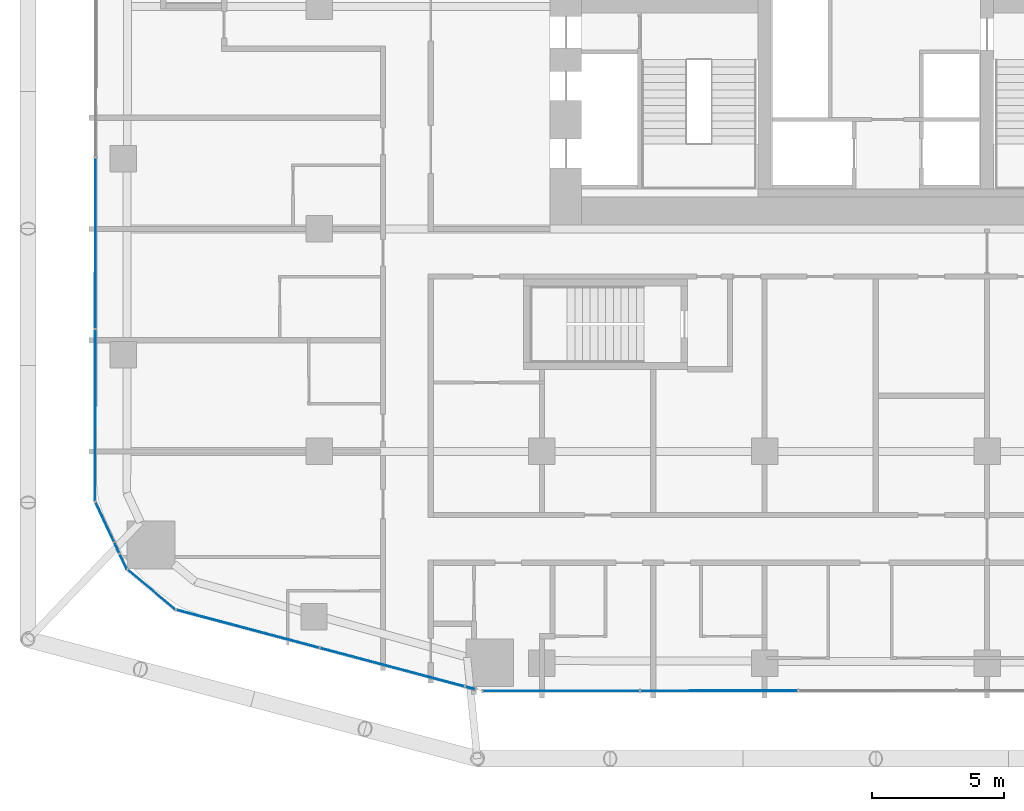
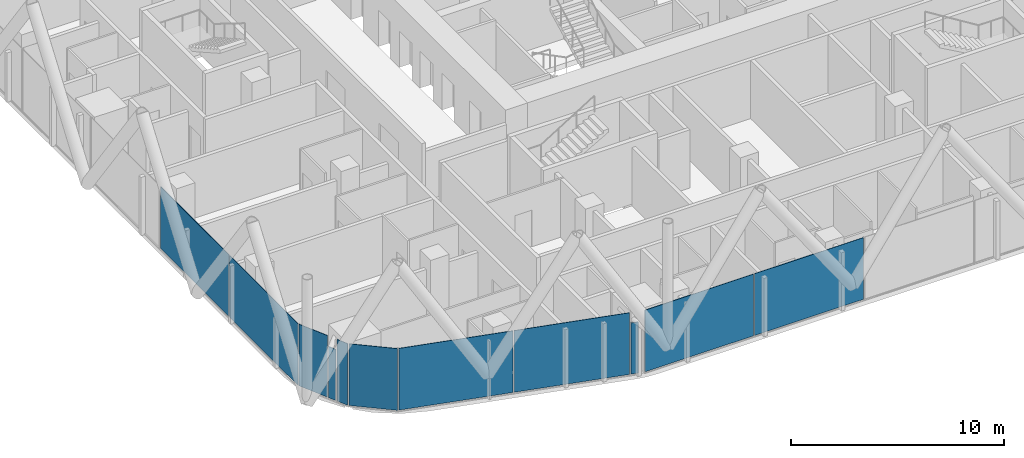
# One storey, part 18 of 35: 11 plates, 8 elements without a shape of their own.
"""IFC4 building model written with IfcOpenShell, lengths in metres."""

from ifc_helpers import new_model, si_unit, direction, frame, origin, origin_2d, place, context, subcontext, project, spatial, rectangle, extrude, material, layer, layer_set, type_object, element, aggregate, save


model = new_model("IFC4")

# Units and contexts
model_context = context("Model", 3, precision=1e-05, world=origin(), true_north=direction((0.0, 1.0)))
body_context = subcontext(model_context, "Body", "Model", "MODEL_VIEW")
ifc_project = project(units=[si_unit("LENGTHUNIT", "METRE"), si_unit("AREAUNIT", "SQUARE_METRE"), si_unit("VOLUMEUNIT", "CUBIC_METRE"), si_unit("PLANEANGLEUNIT", "RADIAN"), si_unit("MASSUNIT", "GRAM", prefix="KILO")], contexts=[model_context])

# Site, building, storey
site_placement = place(None, origin())
site = spatial("IfcSite", under=ifc_project, at=site_placement, CompositionType="ELEMENT")
building_placement = place(site_placement, origin())
building = spatial("IfcBuilding", under=site, at=building_placement, Name="Marenta Gate Hotel Tower", CompositionType="ELEMENT")
storey_placement = place(building_placement, frame((0.0, 0.0, 61.699951171875)))
storey = spatial("IfcBuildingStorey", under=building, at=storey_placement, Name="L13", CompositionType="ELEMENT", Elevation=61.699951171875)

# Curtain wall, plates
ifc_material_1 = material(Name="Tinted insulated glass in bronze anodised frame", Category="glass")
ifc_layer_1 = layer(ifc_material_1, 0.1201171875)
ifc_layer_set_1 = layer_set([ifc_layer_1], Name="Tinted insulated glass in bronze anodised frame")
curtain_wall_type = type_object("IfcCurtainWallType", Name="Tower unitised curtain wall CW1", PredefinedType="NOTDEFINED", material=ifc_layer_set_1)
curtain_wall_1_placement = place(storey_placement, origin())
curtain_wall_1 = element("IfcCurtainWall", 1, at=curtain_wall_1_placement, inside=storey, type_object=curtain_wall_type, Name="CW1 run G04", PredefinedType="NOTDEFINED")
ifc_material_2 = material(Name="Tinted insulated glass", Category="glass")
ifc_layer_2 = layer(ifc_material_2, 0.028076171875)
ifc_layer_set_2 = layer_set([ifc_layer_2], Name="Tinted insulated glass")
plate_type = type_object("IfcPlateType", Name="Glass panel CW1 28 mm tinted insulated unit", PredefinedType="CURTAIN_PANEL", material=ifc_layer_set_2)
plate_1_placement = place(storey_placement, frame((-29.4580078125, -0.54052734375, 0.06005859375), z_axis=(0.0, 0.0, 1.0), x_axis=(-0.00156642217, -0.99999877316, 0.0)))
plate_1 = element("IfcPlate", 2, at=plate_1_placement, type_object=plate_type, Name="CW1 panel 5.1", PredefinedType="CURTAIN_PANEL", context=body_context, shape_type="SweptSolid", body=[
    extrude(rectangle(XDim=6.430419921875, YDim=0.028076171875, at=origin_2d()), origin(), (0.0, 0.0, 1.0), 3.5400390625),
])
plate_2_placement = place(storey_placement, frame((-29.46826171875, -7.0458984375, 0.06005859375), z_axis=(0.0, 0.0, 1.0), x_axis=(-0.00156642217, -0.99999877316, 0.0)))
plate_2 = element("IfcPlate", 3, at=plate_2_placement, type_object=plate_type, Name="CW1 panel 6.1", PredefinedType="CURTAIN_PANEL", context=body_context, shape_type="SweptSolid", body=[
    extrude(rectangle(XDim=6.46044921875, YDim=0.028076171875, at=origin_2d()), origin(), (0.0, 0.0, 1.0), 3.5400390625),
])
aggregate(curtain_wall_1, [plate_1, plate_2])

# Curtain wall, plate
curtain_wall_2_placement = place(storey_placement, origin())
curtain_wall_2 = element("IfcCurtainWall", 4, at=curtain_wall_2_placement, inside=storey, type_object=curtain_wall_type, Name="CW1 run G05", PredefinedType="NOTDEFINED")
plate_3_placement = place(storey_placement, frame((-29.1064453125, -11.06103515625, 0.06005859375), z_axis=(0.0, 0.0, 1.0), x_axis=(0.42334021974, -0.905970782283, 0.0)))
plate_3 = element("IfcPlate", 5, at=plate_3_placement, type_object=plate_type, Name="CW1 panel 1.1", PredefinedType="CURTAIN_PANEL", context=body_context, shape_type="SweptSolid", body=[
    extrude(rectangle(XDim=1.613037109375, YDim=0.028076171875, at=origin_2d()), origin(), (0.0, 0.0, 1.0), 3.5400390625),
])
aggregate(curtain_wall_2, [plate_3])

curtain_wall_3_placement = place(storey_placement, origin())
curtain_wall_3 = element("IfcCurtainWall", 6, at=curtain_wall_3_placement, inside=storey, type_object=curtain_wall_type, Name="CW1 run G06", PredefinedType="NOTDEFINED")
plate_4_placement = place(storey_placement, frame((-28.6494140625, -12.0390625, 0.06005859375), z_axis=(0.0, 0.0, 1.0), x_axis=(0.423268429691, -0.906004324729, 0.0)))
plate_4 = element("IfcPlate", 7, at=plate_4_placement, type_object=plate_type, Name="CW1 panel 1.1", PredefinedType="CURTAIN_PANEL", context=body_context, shape_type="SweptSolid", body=[
    extrude(rectangle(XDim=0.426025390625, YDim=0.028076171875, at=origin_2d()), origin(), (0.0, 0.0, 1.0), 2.9404296875),
])
aggregate(curtain_wall_3, [plate_4])

curtain_wall_4_placement = place(storey_placement, origin())
curtain_wall_4 = element("IfcCurtainWall", 8, at=curtain_wall_4_placement, inside=storey, type_object=curtain_wall_type, Name="CW1 run G07", PredefinedType="NOTDEFINED")
plate_5_placement = place(storey_placement, frame((-28.404052734375, -12.564208984375, 0.06005859375), z_axis=(0.0, 0.0, 1.0), x_axis=(0.423397949235, -0.905943804319, 0.0)))
plate_5 = element("IfcPlate", 9, at=plate_5_placement, type_object=plate_type, Name="CW1 panel 1.1", PredefinedType="CURTAIN_PANEL", context=body_context, shape_type="SweptSolid", body=[
    extrude(rectangle(XDim=0.61279296875, YDim=0.028076171875, at=origin_2d()), origin(), (0.0, 0.0, 1.0), 3.5400390625),
])
aggregate(curtain_wall_4, [plate_5])

curtain_wall_5_placement = place(storey_placement, origin())
curtain_wall_5 = element("IfcCurtainWall", 10, at=curtain_wall_5_placement, inside=storey, type_object=curtain_wall_type, Name="CW1 run G08", PredefinedType="NOTDEFINED")
plate_6_placement = place(storey_placement, frame((-27.33984375, -13.623291015625, 0.06005859375), z_axis=(0.0, 0.0, 1.0), x_axis=(0.767113012445, -0.641511984407, 0.0)))
plate_6 = element("IfcPlate", 11, at=plate_6_placement, type_object=plate_type, Name="CW1 panel 1.1", PredefinedType="CURTAIN_PANEL", context=body_context, shape_type="SweptSolid", body=[
    extrude(rectangle(XDim=2.316650390625, YDim=0.028076171875, at=origin_2d()), origin(), (0.0, 0.0, 1.0), 3.5400390625),
])
aggregate(curtain_wall_5, [plate_6])

# Curtain wall, plates
curtain_wall_6_placement = place(storey_placement, origin())
curtain_wall_6 = element("IfcCurtainWall", 12, at=curtain_wall_6_placement, inside=storey, type_object=curtain_wall_type, Name="CW1 run G09", PredefinedType="NOTDEFINED")
plate_7_placement = place(storey_placement, frame((-23.7099609375, -15.095703125, 0.06005859375), z_axis=(0.0, 0.0, 1.0), x_axis=(0.96637361259, -0.257142063632, 0.0)))
plate_7 = element("IfcPlate", 13, at=plate_7_placement, type_object=plate_type, Name="CW1 panel 1.1", PredefinedType="CURTAIN_PANEL", context=body_context, shape_type="SweptSolid", body=[
    extrude(rectangle(XDim=5.553466796875, YDim=0.028076171875, at=origin_2d()), origin(), (0.0, 0.0, 1.0), 3.5400390625),
])
plate_8_placement = place(storey_placement, frame((-18.256103515625, -16.547119140625, 0.06005859375), z_axis=(0.0, 0.0, 1.0), x_axis=(0.96637361259, -0.257142063632, 0.0)))
plate_8 = element("IfcPlate", 14, at=plate_8_placement, type_object=plate_type, Name="CW1 panel 2.1", PredefinedType="CURTAIN_PANEL", context=body_context, shape_type="SweptSolid", body=[
    extrude(rectangle(XDim=5.613525390625, YDim=0.028076171875, at=origin_2d()), origin(), (0.0, 0.0, 1.0), 3.5400390625),
])
aggregate(curtain_wall_6, [plate_7, plate_8])

# Curtain wall, plate
curtain_wall_7_placement = place(storey_placement, origin())
curtain_wall_7 = element("IfcCurtainWall", 15, at=curtain_wall_7_placement, inside=storey, type_object=curtain_wall_type, Name="CW1 run G10", PredefinedType="NOTDEFINED")
plate_9_placement = place(storey_placement, frame((-15.309814453125, -17.3310546875, 0.06005859375), z_axis=(0.0, 0.0, 1.0), x_axis=(0.966388993927, -0.257084251591, 0.0)))
plate_9 = element("IfcPlate", 16, at=plate_9_placement, type_object=plate_type, Name="CW1 panel 1.1", PredefinedType="CURTAIN_PANEL", context=body_context, shape_type="SweptSolid", body=[
    extrude(rectangle(XDim=0.3642578125, YDim=0.028076171875, at=origin_2d()), origin(), (0.0, 0.0, 1.0), 2.9404296875),
])
aggregate(curtain_wall_7, [plate_9])

# Curtain wall, plates
curtain_wall_8_placement = place(storey_placement, origin())
curtain_wall_8 = element("IfcCurtainWall", 17, at=curtain_wall_8_placement, inside=storey, type_object=curtain_wall_type, Name="CW1 run G11", PredefinedType="NOTDEFINED")
plate_10_placement = place(storey_placement, frame((-11.869140625, -17.4443359375, 0.06005859375), z_axis=(0.0, 0.0, 1.0), x_axis=(0.999999324969, 0.001161921639, 0.0)))
plate_10 = element("IfcPlate", 18, at=plate_10_placement, type_object=plate_type, Name="CW1 panel 1.1", PredefinedType="CURTAIN_PANEL", context=body_context, shape_type="SweptSolid", body=[
    extrude(rectangle(XDim=5.8828125, YDim=0.028076171875, at=origin_2d()), origin(), (0.0, 0.0, 1.0), 3.5400390625),
])
plate_11_placement = place(storey_placement, frame((-5.911376953125, -17.4375, 0.06005859375), z_axis=(0.0, 0.0, 1.0), x_axis=(0.999999324969, 0.001161921639, 0.0)))
plate_11 = element("IfcPlate", 19, at=plate_11_placement, type_object=plate_type, Name="CW1 panel 2.1", PredefinedType="CURTAIN_PANEL", context=body_context, shape_type="SweptSolid", body=[
    extrude(rectangle(XDim=5.912841796875, YDim=0.028076171875, at=origin_2d()), origin(), (0.0, 0.0, 1.0), 3.5400390625),
])
aggregate(curtain_wall_8, [plate_10, plate_11])

save(model, "model.ifc")
